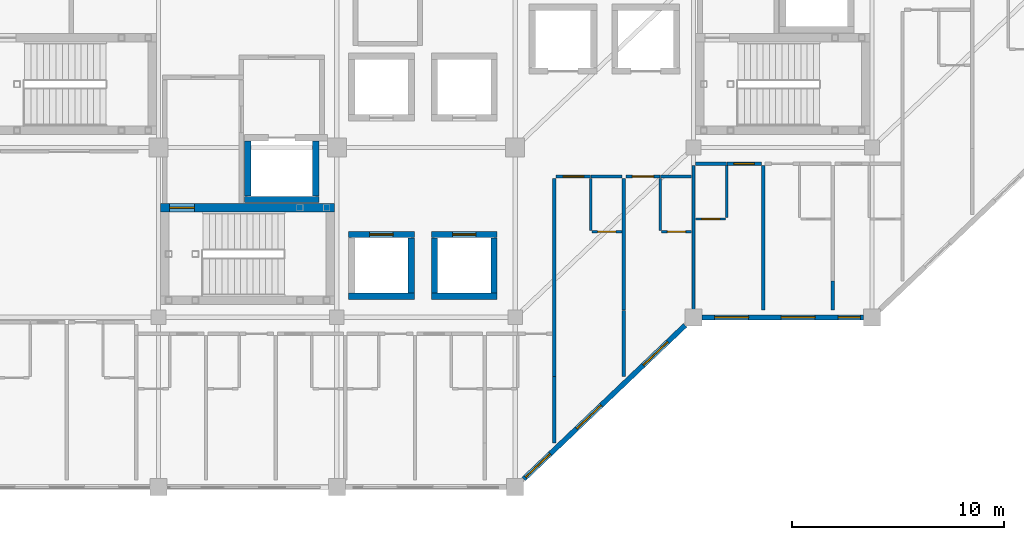
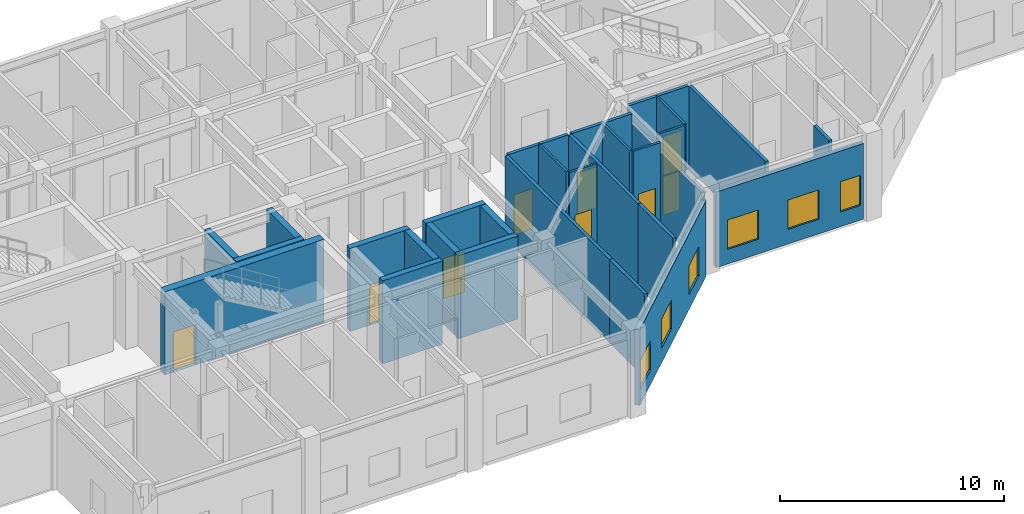
# One storey, part 25 of 37: 32 walls, 9 doors, 6 windows, 15 openings.
"""IFC4 building model written with IfcOpenShell, lengths in metres."""

from ifc_helpers import new_model, si_unit, direction, frame, frame_2d, origin, place, context, subcontext, project, spatial, rectangle, extrude, material, layer, layer_set, type_object, element, fill, save


model = new_model("IFC4")

# Units and contexts
model_context = context("Model", 3, precision=1e-05, world=origin(), true_north=direction((0.0, 1.0)))
body_context = subcontext(model_context, "Body", "Model", "MODEL_VIEW")
ifc_project = project(units=[si_unit("LENGTHUNIT", "METRE"), si_unit("AREAUNIT", "SQUARE_METRE"), si_unit("VOLUMEUNIT", "CUBIC_METRE"), si_unit("PLANEANGLEUNIT", "RADIAN"), si_unit("MASSUNIT", "GRAM", prefix="KILO")], contexts=[model_context])

# Site, building, storey
site_placement = place(None, origin())
site = spatial("IfcSite", under=ifc_project, at=site_placement, CompositionType="ELEMENT")
building_placement = place(site_placement, origin())
building = spatial("IfcBuilding", under=site, at=building_placement, Name="Naruveol Harbour Congress Hotel", CompositionType="ELEMENT")
storey_placement = place(building_placement, frame((0.0, 0.0, 16.199951171875)))
storey = spatial("IfcBuildingStorey", under=building, at=storey_placement, Name="L03", CompositionType="ELEMENT", Elevation=16.199951171875)

# Wall
ifc_material_1 = material(Name="Moisture-Resistant Gypsum Partition", Category="gypsum")
ifc_layer_1 = layer(ifc_material_1, 0.114990234375)
ifc_layer_set_1 = layer_set([ifc_layer_1], Name="Moisture-Resistant Gypsum Partition")
wall_type_1 = type_object("IfcWallType", Name="BATHROOM MOISTURE PARTITION WALL 115", PredefinedType="PARTITIONING", material=ifc_layer_set_1)
wall_1_placement = place(storey_placement, frame((146.35009765625, 12.090087890625, 0.0), z_axis=(0.0, 0.0, 1.0), x_axis=(0.0, 1.0, 0.0)))
element("IfcWall", 1, at=wall_1_placement, inside=storey, type_object=wall_type_1, Name="Bathroom west wall 0445 PW-115", PredefinedType="PARTITIONING", context=body_context, shape_type="SweptSolid", body=[
    extrude(rectangle(XDim=2.449951171875, YDim=0.114990234375, at=frame_2d((1.22509765625, 0.0))), origin(), (0.0, 0.0, 1.0), 4.53515625),
])

# Wall, opening, door
wall_2_placement = place(storey_placement, frame((146.409912109375, 12.030029296875, 0.0), z_axis=(0.0, 0.0, 1.0), x_axis=(1.0, 0.0, 0.0)))
wall_2 = element("IfcWall", 2, at=wall_2_placement, inside=storey, type_object=wall_type_1, Name="Bathroom south wall 0445 PW-115", PredefinedType="PARTITIONING", context=body_context, shape_type="SweptSolid", body=[
    extrude(rectangle(XDim=1.41015625, YDim=0.114990234375, at=frame_2d((0.705078125, 0.0))), origin(), (0.0, 0.0, 1.0), 4.53515625),
])
opening_1_placement = place(wall_2_placement, frame((0.27490234375, 0.0, 0.0)))
opening_1 = element("IfcOpeningElement", 3, at=opening_1_placement, cuts=wall_2, Name="Opening BD-RM0445", PredefinedType="OPENING", context=body_context, shape_type="SweptSolid", body=[
    extrude(rectangle(XDim=0.860107421875, YDim=2.1201171875, at=frame_2d((0.43017578125, 1.06005859375))), frame((0.0, 0.0673828125, 0.0), z_axis=(0.0, -1.0, 0.0), x_axis=(1.0, 0.0, 0.0)), (0.0, 0.0, 1.0), 0.135009765625),
])
ifc_material_2 = material(Name="Timber & Steel Acoustic Leaf", Category="steel")
door_type_1 = type_object("IfcDoorType", Name="GUEST BATHROOM DOOR 860X2120", OperationType="NOTDEFINED", PredefinedType="DOOR", material=ifc_material_2)
door_1_placement = place(opening_1_placement, origin())
door_1 = element("IfcDoor", 4, at=door_1_placement, inside=storey, type_object=door_type_1, Name="Bathroom Door 0445", OperationType="SINGLE_SWING_RIGHT", OverallHeight=2.1201171875, OverallWidth=0.860107421875, PredefinedType="DOOR", context=body_context, shape_type="SweptSolid", body=[
    extrude(rectangle(XDim=0.860107421875, YDim=2.1201171875, at=frame_2d((0.43017578125, 1.06005859375))), frame((0.0, 0.02490234375, 0.0), z_axis=(0.0, -1.0, 0.0), x_axis=(1.0, 0.0, 0.0)), (0.0, 0.0, 1.0), 0.050048828125),
])
fill(opening_1, door_1)

# Wall
wall_3_placement = place(storey_placement, frame((149.6298828125, 12.090087890625, 0.0), z_axis=(0.0, 0.0, 1.0), x_axis=(0.0, 1.0, 0.0)))
element("IfcWall", 5, at=wall_3_placement, inside=storey, type_object=wall_type_1, Name="Bathroom west wall 0446 PW-115", PredefinedType="PARTITIONING", context=body_context, shape_type="SweptSolid", body=[
    extrude(rectangle(XDim=2.449951171875, YDim=0.114990234375, at=frame_2d((1.22509765625, 0.0))), origin(), (0.0, 0.0, 1.0), 4.53515625),
])

# Wall, opening, door
wall_4_placement = place(storey_placement, frame((149.68994140625, 12.030029296875, 0.0), z_axis=(0.0, 0.0, 1.0), x_axis=(1.0, 0.0, 0.0)))
wall_4 = element("IfcWall", 6, at=wall_4_placement, inside=storey, type_object=wall_type_1, Name="Bathroom south wall 0446 PW-115", PredefinedType="PARTITIONING", context=body_context, shape_type="SweptSolid", body=[
    extrude(rectangle(XDim=1.41015625, YDim=0.114990234375, at=frame_2d((0.705078125, 0.0))), origin(), (0.0, 0.0, 1.0), 4.53515625),
])
opening_2_placement = place(wall_4_placement, frame((0.27490234375, 0.0, 0.0)))
opening_2 = element("IfcOpeningElement", 7, at=opening_2_placement, cuts=wall_4, Name="Opening BD-RM0446", PredefinedType="OPENING", context=body_context, shape_type="SweptSolid", body=[
    extrude(rectangle(XDim=0.860107421875, YDim=2.1201171875, at=frame_2d((0.43017578125, 1.06005859375))), frame((0.0, 0.0673828125, 0.0), z_axis=(0.0, -1.0, 0.0), x_axis=(1.0, 0.0, 0.0)), (0.0, 0.0, 1.0), 0.135009765625),
])
door_2_placement = place(opening_2_placement, origin())
door_2 = element("IfcDoor", 8, at=door_2_placement, inside=storey, type_object=door_type_1, Name="Bathroom Door 0446", OperationType="SINGLE_SWING_RIGHT", OverallHeight=2.1201171875, OverallWidth=0.860107421875, PredefinedType="DOOR", context=body_context, shape_type="SweptSolid", body=[
    extrude(rectangle(XDim=0.860107421875, YDim=2.1201171875, at=frame_2d((0.43017578125, 1.06005859375))), frame((0.0, 0.02490234375, 0.0), z_axis=(0.0, -1.0, 0.0), x_axis=(1.0, 0.0, 0.0)), (0.0, 0.0, 1.0), 0.050048828125),
])
fill(opening_2, door_2)

# Wall
wall_5_placement = place(storey_placement, frame((152.77001953125, 12.68994140625, 0.0), z_axis=(0.0, 0.0, 1.0), x_axis=(0.0, 1.0, 0.0)))
element("IfcWall", 9, at=wall_5_placement, inside=storey, type_object=wall_type_1, Name="Bathroom east wall 0447 PW-115", PredefinedType="PARTITIONING", context=body_context, shape_type="SweptSolid", body=[
    extrude(rectangle(XDim=2.449951171875, YDim=0.114990234375, at=frame_2d((1.22509765625, 0.0))), origin(), (0.0, 0.0, 1.0), 4.53515625),
])

# Wall, opening, door
wall_6_placement = place(storey_placement, frame((151.300048828125, 12.6298828125, 0.0), z_axis=(0.0, 0.0, 1.0), x_axis=(1.0, 0.0, 0.0)))
wall_6 = element("IfcWall", 10, at=wall_6_placement, inside=storey, type_object=wall_type_1, Name="Bathroom south wall 0447 PW-115", PredefinedType="PARTITIONING", context=body_context, shape_type="SweptSolid", body=[
    extrude(rectangle(XDim=1.409912109375, YDim=0.114990234375, at=frame_2d((0.705078125, 0.0))), origin(), (0.0, 0.0, 1.0), 4.53515625),
])
opening_3_placement = place(wall_6_placement, frame((0.27490234375, 0.0, 0.0)))
opening_3 = element("IfcOpeningElement", 11, at=opening_3_placement, cuts=wall_6, Name="Opening BD-RM0447", PredefinedType="OPENING", context=body_context, shape_type="SweptSolid", body=[
    extrude(rectangle(XDim=0.860107421875, YDim=2.1201171875, at=frame_2d((0.43017578125, 1.06005859375))), frame((0.0, 0.0673828125, 0.0), z_axis=(0.0, -1.0, 0.0), x_axis=(1.0, 0.0, 0.0)), (0.0, 0.0, 1.0), 0.135009765625),
])
door_3_placement = place(opening_3_placement, origin())
door_3 = element("IfcDoor", 12, at=door_3_placement, inside=storey, type_object=door_type_1, Name="Bathroom Door 0447", OperationType="SINGLE_SWING_RIGHT", OverallHeight=2.1201171875, OverallWidth=0.860107421875, PredefinedType="DOOR", context=body_context, shape_type="SweptSolid", body=[
    extrude(rectangle(XDim=0.860107421875, YDim=2.1201171875, at=frame_2d((0.43017578125, 1.06005859375))), frame((0.0, 0.02490234375, 0.0), z_axis=(0.0, -1.0, 0.0), x_axis=(1.0, 0.0, 0.0)), (0.0, 0.0, 1.0), 0.050048828125),
])
fill(opening_3, door_3)

# Wall
ifc_material_3 = material(Name="Autoclaved Aerated Concrete Block", Category="concrete")
ifc_layer_2 = layer(ifc_material_3, 0.159912109375)
ifc_layer_set_2 = layer_set([ifc_layer_2], Name="Autoclaved Aerated Concrete Block")
wall_type_2 = type_object("IfcWallType", Name="HOTEL PARTY AND CORRIDOR WALL 160 EI60", PredefinedType="PARTITIONING", material=ifc_layer_set_2)
wall_7_placement = place(storey_placement, frame((144.639892578125, 2.090087890625, 0.0), z_axis=(0.0, 0.0, 1.0), x_axis=(0.0, 1.0, 0.0)))
element("IfcWall", 13, at=wall_7_placement, inside=storey, type_object=wall_type_2, Name="Hotel end party wall 0444 PW-160", PredefinedType="PARTITIONING", context=body_context, shape_type="SweptSolid", body=[
    extrude(rectangle(XDim=3.119873046875, YDim=0.159912109375, at=frame_2d((1.56005859375, 0.0))), origin(), (0.0, 0.0, 1.0), 4.53515625),
])

# Wall, opening, door
wall_8_placement = place(storey_placement, frame((144.72998046875, 14.6298828125, 0.0), z_axis=(0.0, 0.0, 1.0), x_axis=(1.0, 0.0, 0.0)))
wall_8 = element("IfcWall", 14, at=wall_8_placement, inside=storey, type_object=wall_type_2, Name="Corridor entry wall 0445 PW-160", PredefinedType="PARTITIONING", context=body_context, shape_type="SweptSolid", body=[
    extrude(rectangle(XDim=1.6201171875, YDim=0.159912109375, at=frame_2d((0.81005859375, 0.0))), origin(), (0.0, 0.0, 1.0), 4.53515625),
])
opening_4_placement = place(wall_8_placement, frame((0.330078125, 0.0, 0.0)))
opening_4 = element("IfcOpeningElement", 15, at=opening_4_placement, cuts=wall_8, Name="Opening FD-RM0445", PredefinedType="OPENING", context=body_context, shape_type="SweptSolid", body=[
    extrude(rectangle(XDim=0.9599609375, YDim=2.199951171875, at=frame_2d((0.47998046875, 1.10009765625))), frame((0.0, 0.08984375, 0.0), z_axis=(0.0, -1.0, 0.0), x_axis=(1.0, 0.0, 0.0)), (0.0, 0.0, 1.0), 0.179931640625),
])
ifc_material_4 = material(Name="Timber & Steel Acoustic Leaf", Category="steel")
door_type_2 = type_object("IfcDoorType", Name="GUEST ROOM ENTRANCE FIRE DOOR 960X2200", OperationType="NOTDEFINED", PredefinedType="DOOR", material=ifc_material_4)
door_4_placement = place(opening_4_placement, origin())
door_4 = element("IfcDoor", 16, at=door_4_placement, inside=storey, type_object=door_type_2, Name="Hotel Room Door 0445", OperationType="SINGLE_SWING_LEFT", OverallHeight=2.199951171875, OverallWidth=0.9599609375, PredefinedType="DOOR", context=body_context, shape_type="SweptSolid", body=[
    extrude(rectangle(XDim=0.9599609375, YDim=2.199951171875, at=frame_2d((0.47998046875, 1.10009765625))), frame((0.0, 0.02490234375, 0.0), z_axis=(0.0, -1.0, 0.0), x_axis=(1.0, 0.0, 0.0)), (0.0, 0.0, 1.0), 0.050048828125),
])
fill(opening_4, door_4)

# Walls
wall_9_placement = place(storey_placement, frame((146.360107421875, 14.6298828125, 0.0), z_axis=(0.0, 0.0, 1.0), x_axis=(1.0, 0.0, 0.0)))
element("IfcWall", 17, at=wall_9_placement, inside=storey, type_object=wall_type_2, Name="Corridor wall 0445B PW-160", PredefinedType="PARTITIONING", context=body_context, shape_type="SweptSolid", body=[
    extrude(rectangle(XDim=1.469970703125, YDim=0.159912109375, at=frame_2d((0.73486328125, 0.0))), origin(), (0.0, 0.0, 1.0), 4.53515625),
])
wall_10_placement = place(storey_placement, frame((144.639892578125, 5.219970703125, 0.0), z_axis=(0.0, 0.0, 1.0), x_axis=(0.0, 1.0, 0.0)))
element("IfcWall", 18, at=wall_10_placement, inside=storey, type_object=wall_type_2, Name="Hotel party wall 0445 PW-160", PredefinedType="PARTITIONING", context=body_context, shape_type="SweptSolid", body=[
    extrude(rectangle(XDim=9.320068359375, YDim=0.159912109375, at=frame_2d((4.66015625, 0.0))), origin(), (0.0, 0.0, 1.0), 4.53515625),
])
wall_11_placement = place(storey_placement, frame((147.919921875, 5.219970703125, 0.0), z_axis=(0.0, 0.0, 1.0), x_axis=(0.0, 1.0, 0.0)))
element("IfcWall", 19, at=wall_11_placement, inside=storey, type_object=wall_type_2, Name="Hotel end party wall 0445 PW-160", PredefinedType="PARTITIONING", context=body_context, shape_type="SweptSolid", body=[
    extrude(rectangle(XDim=3.110107421875, YDim=0.159912109375, at=frame_2d((1.55517578125, 0.0))), origin(), (0.0, 0.0, 1.0), 4.53515625),
])

# Wall, opening, door
wall_12_placement = place(storey_placement, frame((148.010009765625, 14.6298828125, 0.0), z_axis=(0.0, 0.0, 1.0), x_axis=(1.0, 0.0, 0.0)))
wall_12 = element("IfcWall", 20, at=wall_12_placement, inside=storey, type_object=wall_type_2, Name="Corridor entry wall 0446 PW-160", PredefinedType="PARTITIONING", context=body_context, shape_type="SweptSolid", body=[
    extrude(rectangle(XDim=1.619873046875, YDim=0.159912109375, at=frame_2d((0.81005859375, 0.0))), origin(), (0.0, 0.0, 1.0), 4.53515625),
])
opening_5_placement = place(wall_12_placement, frame((0.31005859375, 0.0, 0.0)))
opening_5 = element("IfcOpeningElement", 21, at=opening_5_placement, cuts=wall_12, Name="Opening FD-RM0446", PredefinedType="OPENING", context=body_context, shape_type="SweptSolid", body=[
    extrude(rectangle(XDim=1.0, YDim=2.25, at=frame_2d((0.5, 1.125))), frame((0.0, 0.08984375, 0.0), z_axis=(0.0, -1.0, 0.0), x_axis=(1.0, 0.0, 0.0)), (0.0, 0.0, 1.0), 0.179931640625),
])
ifc_material_5 = material(Name="Timber & Steel Acoustic Leaf", Category="steel")
door_type_3 = type_object("IfcDoorType", Name="DELUXE GUEST ENTRANCE FIRE DOOR 1000X2250", OperationType="NOTDEFINED", PredefinedType="DOOR", material=ifc_material_5)
door_5_placement = place(opening_5_placement, origin())
door_5 = element("IfcDoor", 22, at=door_5_placement, inside=storey, type_object=door_type_3, Name="Hotel Room Door 0446", OperationType="SINGLE_SWING_LEFT", OverallHeight=2.25, OverallWidth=1.0, PredefinedType="DOOR", context=body_context, shape_type="SweptSolid", body=[
    extrude(rectangle(XDim=1.0, YDim=2.25, at=frame_2d((0.5, 1.125))), frame((0.0, 0.02490234375, 0.0), z_axis=(0.0, -1.0, 0.0), x_axis=(1.0, 0.0, 0.0)), (0.0, 0.0, 1.0), 0.050048828125),
])
fill(opening_5, door_5)

# Walls
wall_13_placement = place(storey_placement, frame((149.639892578125, 14.6298828125, 0.0), z_axis=(0.0, 0.0, 1.0), x_axis=(1.0, 0.0, 0.0)))
element("IfcWall", 23, at=wall_13_placement, inside=storey, type_object=wall_type_2, Name="Corridor wall 0446B PW-160", PredefinedType="PARTITIONING", context=body_context, shape_type="SweptSolid", body=[
    extrude(rectangle(XDim=1.47021484375, YDim=0.159912109375, at=frame_2d((0.735107421875, 0.0))), origin(), (0.0, 0.0, 1.0), 4.53515625),
])
wall_14_placement = place(storey_placement, frame((147.919921875, 8.340087890625, 0.0), z_axis=(0.0, 0.0, 1.0), x_axis=(0.0, 1.0, 0.0)))
element("IfcWall", 24, at=wall_14_placement, inside=storey, type_object=wall_type_2, Name="Hotel party wall 0446 PW-160", PredefinedType="PARTITIONING", context=body_context, shape_type="SweptSolid", body=[
    extrude(rectangle(XDim=6.199951171875, YDim=0.159912109375, at=frame_2d((3.10009765625, 0.0))), origin(), (0.0, 0.0, 1.0), 4.53515625),
])
wall_15_placement = place(storey_placement, frame((151.2900390625, 15.22998046875, 0.0), z_axis=(0.0, 0.0, 1.0), x_axis=(1.0, 0.0, 0.0)))
element("IfcWall", 25, at=wall_15_placement, inside=storey, type_object=wall_type_2, Name="Corridor wall 0447B PW-160", PredefinedType="PARTITIONING", context=body_context, shape_type="SweptSolid", body=[
    extrude(rectangle(XDim=1.469970703125, YDim=0.159912109375, at=frame_2d((0.73486328125, 0.0))), origin(), (0.0, 0.0, 1.0), 4.53515625),
])

# Wall, opening, door
wall_16_placement = place(storey_placement, frame((152.77001953125, 15.22998046875, 0.0), z_axis=(0.0, 0.0, 1.0), x_axis=(1.0, 0.0, 0.0)))
wall_16 = element("IfcWall", 26, at=wall_16_placement, inside=storey, type_object=wall_type_2, Name="Corridor entry wall 0447 PW-160", PredefinedType="PARTITIONING", context=body_context, shape_type="SweptSolid", body=[
    extrude(rectangle(XDim=1.619873046875, YDim=0.159912109375, at=frame_2d((0.81005859375, 0.0))), origin(), (0.0, 0.0, 1.0), 4.53515625),
])
opening_6_placement = place(wall_16_placement, frame((0.330078125, 0.0, 0.0)))
opening_6 = element("IfcOpeningElement", 27, at=opening_6_placement, cuts=wall_16, Name="Opening FD-RM0447", PredefinedType="OPENING", context=body_context, shape_type="SweptSolid", body=[
    extrude(rectangle(XDim=0.9599609375, YDim=2.199951171875, at=frame_2d((0.47998046875, 1.10009765625))), frame((0.0, 0.08984375, 0.0), z_axis=(0.0, -1.0, 0.0), x_axis=(1.0, 0.0, 0.0)), (0.0, 0.0, 1.0), 0.179931640625),
])
door_6_placement = place(opening_6_placement, origin())
door_6 = element("IfcDoor", 28, at=door_6_placement, inside=storey, type_object=door_type_2, Name="Hotel Room Door 0447", OperationType="SINGLE_SWING_LEFT", OverallHeight=2.199951171875, OverallWidth=0.9599609375, PredefinedType="DOOR", context=body_context, shape_type="SweptSolid", body=[
    extrude(rectangle(XDim=0.9599609375, YDim=2.199951171875, at=frame_2d((0.47998046875, 1.10009765625))), frame((0.0, 0.02490234375, 0.0), z_axis=(0.0, -1.0, 0.0), x_axis=(1.0, 0.0, 0.0)), (0.0, 0.0, 1.0), 0.050048828125),
])
fill(opening_6, door_6)

# Walls
wall_17_placement = place(storey_placement, frame((151.199951171875, 8.340087890625, 0.0), z_axis=(0.0, 0.0, 1.0), x_axis=(0.0, 1.0, 0.0)))
element("IfcWall", 29, at=wall_17_placement, inside=storey, type_object=wall_type_2, Name="Hotel party wall 0447 PW-160", PredefinedType="PARTITIONING", context=body_context, shape_type="SweptSolid", body=[
    extrude(rectangle(XDim=6.7998046875, YDim=0.159912109375, at=frame_2d((3.39990234375, 0.0))), origin(), (0.0, 0.0, 1.0), 3.97998046875),
])
wall_18_placement = place(storey_placement, frame((154.47998046875, 8.340087890625, 0.0), z_axis=(0.0, 0.0, 1.0), x_axis=(0.0, 1.0, 0.0)))
element("IfcWall", 30, at=wall_18_placement, inside=storey, type_object=wall_type_2, Name="Hotel party wall 0448 PW-160", PredefinedType="PARTITIONING", context=body_context, shape_type="SweptSolid", body=[
    extrude(rectangle(XDim=6.7998046875, YDim=0.159912109375, at=frame_2d((3.39990234375, 0.0))), origin(), (0.0, 0.0, 1.0), 4.53515625),
])
wall_19_placement = place(storey_placement, frame((157.760009765625, 8.340087890625, 0.0), z_axis=(0.0, 0.0, 1.0), x_axis=(0.0, 1.0, 0.0)))
element("IfcWall", 31, at=wall_19_placement, inside=storey, type_object=wall_type_2, Name="Hotel end party wall 0448 PW-160", PredefinedType="PARTITIONING", context=body_context, shape_type="SweptSolid", body=[
    extrude(rectangle(XDim=1.35986328125, YDim=0.159912109375, at=frame_2d((0.679931640625, 0.0))), origin(), (0.0, 0.0, 1.0), 4.53515625),
])

# Wall, openings, windows
ifc_material_6 = material(Name="Concrete C40/50", Category="concrete")
ifc_layer_3 = layer(ifc_material_6, 0.239990234375)
ifc_layer_set_3 = layer_set([ifc_layer_3], Name="Concrete C40/50")
wall_type_3 = type_object("IfcWallType", Name="INSULATED HOTEL SPANDREL WALL 240", PredefinedType="SOLIDWALL", material=ifc_layer_set_3)
wall_20_placement = place(storey_placement, frame((150.800048828125, 7.618896484375, 0.0), z_axis=(0.0, 0.0, 1.0), x_axis=(-0.724156739794, -0.689635422677, 0.0)))
wall_20 = element("IfcWall", 32, at=wall_20_placement, inside=storey, type_object=wall_type_3, Name="Hotel south waterfront wall L03 EW-240", PredefinedType="SOLIDWALL", context=body_context, shape_type="SweptSolid", body=[
    extrude(rectangle(XDim=10.4951171875, YDim=0.239990234375, at=frame_2d((5.24755859375, 0.0))), origin(), (0.0, 0.0, 1.0), 4.130126953125),
])
opening_7_placement = place(wall_20_placement, frame((1.1201171875, 0.0, 0.800048828125)))
opening_7 = element("IfcOpeningElement", 33, at=opening_7_placement, cuts=wall_20, Name="Opening W-03", PredefinedType="OPENING", context=body_context, shape_type="SweptSolid", body=[
    extrude(rectangle(XDim=1.60009765625, YDim=1.60009765625, at=frame_2d((0.800048828125, 0.800048828125))), frame((0.0, 0.1298828125, 0.0), z_axis=(0.0, -1.0, 0.0), x_axis=(1.0, 0.0, 0.0)), (0.0, 0.0, 1.0), 0.260009765625),
])
opening_8_placement = place(wall_20_placement, frame((5.44189453125, 0.0, 0.800048828125)))
opening_8 = element("IfcOpeningElement", 34, at=opening_8_placement, cuts=wall_20, Name="Opening W-03", PredefinedType="OPENING", context=body_context, shape_type="SweptSolid", body=[
    extrude(rectangle(XDim=1.60009765625, YDim=1.60009765625, at=frame_2d((0.800048828125, 0.800048828125))), frame((0.0, 0.1298828125, 0.0), z_axis=(0.0, -1.0, 0.0), x_axis=(1.0, 0.0, 0.0)), (0.0, 0.0, 1.0), 0.260009765625),
])
opening_9_placement = place(wall_20_placement, frame((8.77001953125, 0.0, 0.800048828125)))
opening_9 = element("IfcOpeningElement", 35, at=opening_9_placement, cuts=wall_20, Name="Opening W-03", PredefinedType="OPENING", context=body_context, shape_type="SweptSolid", body=[
    extrude(rectangle(XDim=1.60009765625, YDim=1.60009765625, at=frame_2d((0.800048828125, 0.800048828125))), frame((0.0, 0.1298828125, 0.0), z_axis=(0.0, -1.0, 0.0), x_axis=(1.0, 0.0, 0.0)), (0.0, 0.0, 1.0), 0.260009765625),
])
ifc_material_7 = material(Name="Low-E Triple Glazing in Thermal Aluminium", Category="aluminium")
window_type_1 = type_object("IfcWindowType", Name="DELUXE GUEST WINDOW 1600X1600", PartitioningType="SINGLE_PANEL", PredefinedType="WINDOW", material=ifc_material_7)
window_1_placement = place(opening_7_placement, origin())
window_1 = element("IfcWindow", 36, at=window_1_placement, inside=storey, type_object=window_type_1, Name="Window W-03 #239", OverallHeight=1.60009765625, OverallWidth=1.60009765625, PartitioningType="SINGLE_PANEL", PredefinedType="WINDOW", context=body_context, shape_type="SweptSolid", body=[
    extrude(rectangle(XDim=1.60009765625, YDim=1.60009765625, at=frame_2d((0.800048828125, 0.800048828125))), frame((0.0, 0.030029296875, 0.0), z_axis=(0.0, -1.0, 0.0), x_axis=(1.0, 0.0, 0.0)), (0.0, 0.0, 1.0), 0.06005859375),
])
fill(opening_7, window_1)
window_2_placement = place(opening_8_placement, origin())
window_2 = element("IfcWindow", 37, at=window_2_placement, inside=storey, type_object=window_type_1, Name="Window W-03 #240", OverallHeight=1.60009765625, OverallWidth=1.60009765625, PartitioningType="SINGLE_PANEL", PredefinedType="WINDOW", context=body_context, shape_type="SweptSolid", body=[
    extrude(rectangle(XDim=1.60009765625, YDim=1.60009765625, at=frame_2d((0.800048828125, 0.800048828125))), frame((0.0, 0.030029296875, 0.0), z_axis=(0.0, -1.0, 0.0), x_axis=(1.0, 0.0, 0.0)), (0.0, 0.0, 1.0), 0.06005859375),
])
fill(opening_8, window_2)
window_3_placement = place(opening_9_placement, origin())
window_3 = element("IfcWindow", 38, at=window_3_placement, inside=storey, type_object=window_type_1, Name="Window W-03 #241", OverallHeight=1.60009765625, OverallWidth=1.60009765625, PartitioningType="SINGLE_PANEL", PredefinedType="WINDOW", context=body_context, shape_type="SweptSolid", body=[
    extrude(rectangle(XDim=1.60009765625, YDim=1.60009765625, at=frame_2d((0.800048828125, 0.800048828125))), frame((0.0, 0.030029296875, 0.0), z_axis=(0.0, -1.0, 0.0), x_axis=(1.0, 0.0, 0.0)), (0.0, 0.0, 1.0), 0.06005859375),
])
fill(opening_9, window_3)

wall_21_placement = place(storey_placement, frame((159.199951171875, 8.0, 0.0), z_axis=(0.0, 0.0, 1.0), x_axis=(-1.0, 0.0, 0.0)))
wall_21 = element("IfcWall", 39, at=wall_21_placement, inside=storey, type_object=wall_type_3, Name="Hotel south waterfront wall L03 EW-240", PredefinedType="SOLIDWALL", context=body_context, shape_type="SweptSolid", body=[
    extrude(rectangle(XDim=7.599853515625, YDim=0.239990234375, at=frame_2d((3.7998046875, 0.0))), origin(), (0.0, 0.0, 1.0), 4.130126953125),
])
opening_10_placement = place(wall_21_placement, frame((0.14501953125, 0.0, 0.800048828125)))
opening_10 = element("IfcOpeningElement", 40, at=opening_10_placement, cuts=wall_21, Name="Opening W-26", PredefinedType="OPENING", context=body_context, shape_type="SweptSolid", body=[
    extrude(rectangle(XDim=1.050048828125, YDim=1.64990234375, at=frame_2d((0.52490234375, 0.824951171875))), frame((0.0, 0.1298828125, 0.0), z_axis=(0.0, -1.0, 0.0), x_axis=(1.0, 0.0, 0.0)), (0.0, 0.0, 1.0), 0.260009765625),
])
opening_11_placement = place(wall_21_placement, frame((2.280029296875, 0.0, 0.800048828125)))
opening_11 = element("IfcOpeningElement", 41, at=opening_11_placement, cuts=wall_21, Name="Opening W-03", PredefinedType="OPENING", context=body_context, shape_type="SweptSolid", body=[
    extrude(rectangle(XDim=1.60009765625, YDim=1.60009765625, at=frame_2d((0.800048828125, 0.800048828125))), frame((0.0, 0.1298828125, 0.0), z_axis=(0.0, -1.0, 0.0), x_axis=(1.0, 0.0, 0.0)), (0.0, 0.0, 1.0), 0.260009765625),
])
opening_12_placement = place(wall_21_placement, frame((5.409912109375, 0.0, 0.800048828125)))
opening_12 = element("IfcOpeningElement", 42, at=opening_12_placement, cuts=wall_21, Name="Opening W-03", PredefinedType="OPENING", context=body_context, shape_type="SweptSolid", body=[
    extrude(rectangle(XDim=1.60009765625, YDim=1.60009765625, at=frame_2d((0.800048828125, 0.800048828125))), frame((0.0, 0.1298828125, 0.0), z_axis=(0.0, -1.0, 0.0), x_axis=(1.0, 0.0, 0.0)), (0.0, 0.0, 1.0), 0.260009765625),
])
ifc_material_8 = material(Name="Low-E Triple Glazing in Thermal Aluminium", Category="aluminium")
window_type_2 = type_object("IfcWindowType", Name="CORRIDOR END VIEW WINDOW 1050X1650", PartitioningType="SINGLE_PANEL", PredefinedType="WINDOW", material=ifc_material_8)
window_4_placement = place(opening_10_placement, origin())
window_4 = element("IfcWindow", 43, at=window_4_placement, inside=storey, type_object=window_type_2, Name="Window W-26 #245", OverallHeight=1.64990234375, OverallWidth=1.050048828125, PartitioningType="SINGLE_PANEL", PredefinedType="WINDOW", context=body_context, shape_type="SweptSolid", body=[
    extrude(rectangle(XDim=1.050048828125, YDim=1.64990234375, at=frame_2d((0.52490234375, 0.824951171875))), frame((0.0, 0.030029296875, 0.0), z_axis=(0.0, -1.0, 0.0), x_axis=(1.0, 0.0, 0.0)), (0.0, 0.0, 1.0), 0.06005859375),
])
fill(opening_10, window_4)
window_5_placement = place(opening_11_placement, origin())
window_5 = element("IfcWindow", 44, at=window_5_placement, inside=storey, type_object=window_type_1, Name="Window W-03 #246", OverallHeight=1.60009765625, OverallWidth=1.60009765625, PartitioningType="SINGLE_PANEL", PredefinedType="WINDOW", context=body_context, shape_type="SweptSolid", body=[
    extrude(rectangle(XDim=1.60009765625, YDim=1.60009765625, at=frame_2d((0.800048828125, 0.800048828125))), frame((0.0, 0.030029296875, 0.0), z_axis=(0.0, -1.0, 0.0), x_axis=(1.0, 0.0, 0.0)), (0.0, 0.0, 1.0), 0.06005859375),
])
fill(opening_11, window_5)
window_6_placement = place(opening_12_placement, origin())
window_6 = element("IfcWindow", 45, at=window_6_placement, inside=storey, type_object=window_type_1, Name="Window W-03 #247", OverallHeight=1.60009765625, OverallWidth=1.60009765625, PartitioningType="SINGLE_PANEL", PredefinedType="WINDOW", context=body_context, shape_type="SweptSolid", body=[
    extrude(rectangle(XDim=1.60009765625, YDim=1.60009765625, at=frame_2d((0.800048828125, 0.800048828125))), frame((0.0, 0.030029296875, 0.0), z_axis=(0.0, -1.0, 0.0), x_axis=(1.0, 0.0, 0.0)), (0.0, 0.0, 1.0), 0.06005859375),
])
fill(opening_12, window_6)

# Wall, opening, door
ifc_material_9 = material(Name="Concrete C50/60", Category="concrete")
ifc_layer_4 = layer(ifc_material_9, 0.39990234375)
ifc_layer_set_4 = layer_set([ifc_layer_4], Name="Concrete C50/60")
wall_type_4 = type_object("IfcWallType", Name="RC CORE SHEAR WALL 400 EI120", PredefinedType="SHEAR", material=ifc_layer_set_4)
wall_22_placement = place(storey_placement, frame((126.10009765625, 13.159912109375, 0.0), z_axis=(0.0, 0.0, 1.0), x_axis=(1.0, 0.0, 0.0)))
wall_22 = element("IfcWall", 46, at=wall_22_placement, inside=storey, type_object=wall_type_4, Name="Stair ST1 north core wall CW-400", PredefinedType="SHEAR", context=body_context, shape_type="SweptSolid", body=[
    extrude(rectangle(XDim=8.199951171875, YDim=0.39990234375, at=frame_2d((4.10009765625, 0.0))), origin(), (0.0, 0.0, 1.0), 4.53515625),
])
opening_13_placement = place(wall_22_placement, frame((0.429931640625, 0.0, 0.0)))
opening_13 = element("IfcOpeningElement", 47, at=opening_13_placement, cuts=wall_22, Name="Opening FD-ST1-S-L03", PredefinedType="OPENING", context=body_context, shape_type="SweptSolid", body=[
    extrude(rectangle(XDim=1.159912109375, YDim=2.199951171875, at=frame_2d((0.580078125, 1.10009765625))), frame((0.0, 0.2099609375, 0.0), z_axis=(0.0, -1.0, 0.0), x_axis=(1.0, 0.0, 0.0)), (0.0, 0.0, 1.0), 0.419921875),
])
ifc_material_10 = material(Name="Timber & Steel Acoustic Leaf", Category="steel")
door_type_4 = type_object("IfcDoorType", Name="SPECIAL ESCAPE STAIR FIRE DOOR 1160X2200", OperationType="NOTDEFINED", PredefinedType="DOOR", material=ifc_material_10)
door_7_placement = place(opening_13_placement, origin())
door_7 = element("IfcDoor", 48, at=door_7_placement, inside=storey, type_object=door_type_4, Name="Special Escape Stair Door ST1 L03", OperationType="SINGLE_SWING_RIGHT", OverallHeight=2.199951171875, OverallWidth=1.159912109375, PredefinedType="DOOR", context=body_context, shape_type="SweptSolid", body=[
    extrude(rectangle(XDim=1.159912109375, YDim=2.199951171875, at=frame_2d((0.580078125, 1.10009765625))), frame((0.0, 0.02490234375, 0.0), z_axis=(0.0, -1.0, 0.0), x_axis=(1.0, 0.0, 0.0)), (0.0, 0.0, 1.0), 0.050048828125),
])
fill(opening_13, door_7)

# Walls
ifc_material_11 = material(Name="Concrete C50/60", Category="concrete")
ifc_layer_5 = layer(ifc_material_11, 0.300048828125)
ifc_layer_set_5 = layer_set([ifc_layer_5], Name="Concrete C50/60")
wall_type_5 = type_object("IfcWallType", Name="RC STAIR AND HOISTWAY SHEAR WALL 300 EI120", PredefinedType="SHEAR", material=ifc_layer_set_5)
wall_23_placement = place(storey_placement, frame((134.949951171875, 9.0, 0.0), z_axis=(0.0, 0.0, 1.0), x_axis=(1.0, 0.0, 0.0)))
element("IfcWall", 49, at=wall_23_placement, inside=storey, type_object=wall_type_5, Name="Hoistway south shear wall PL3 SW-300", PredefinedType="SHEAR", context=body_context, shape_type="SweptSolid", body=[
    extrude(rectangle(XDim=3.10009765625, YDim=0.300048828125, at=frame_2d((1.550048828125, 0.0))), origin(), (0.0, 0.0, 1.0), 4.53515625),
])
wall_24_placement = place(storey_placement, frame((137.89990234375, 9.155029296875, 0.0), z_axis=(0.0, 0.0, 1.0), x_axis=(0.0, 1.0, 0.0)))
element("IfcWall", 50, at=wall_24_placement, inside=storey, type_object=wall_type_5, Name="Hoistway east shear wall PL3 SW-300", PredefinedType="SHEAR", context=body_context, shape_type="SweptSolid", body=[
    extrude(rectangle(XDim=2.590087890625, YDim=0.300048828125, at=frame_2d((1.294921875, 0.0))), origin(), (0.0, 0.0, 1.0), 4.53515625),
])

# Wall, opening, door
wall_25_placement = place(storey_placement, frame((138.050048828125, 11.89990234375, 0.0), z_axis=(0.0, 0.0, 1.0), x_axis=(-1.0, 0.0, 0.0)))
wall_25 = element("IfcWall", 51, at=wall_25_placement, inside=storey, type_object=wall_type_5, Name="Hoistway north shear wall PL3 SW-300", PredefinedType="SHEAR", context=body_context, shape_type="SweptSolid", body=[
    extrude(rectangle(XDim=3.10009765625, YDim=0.300048828125, at=frame_2d((1.550048828125, 0.0))), origin(), (0.0, 0.0, 1.0), 4.53515625),
])
opening_14_placement = place(wall_25_placement, frame((1.0, 0.0, 0.0)))
opening_14 = element("IfcOpeningElement", 52, at=opening_14_placement, cuts=wall_25, Name="Opening LD-PL3-L03", PredefinedType="OPENING", context=body_context, shape_type="SweptSolid", body=[
    extrude(rectangle(XDim=1.10009765625, YDim=2.199951171875, at=frame_2d((0.550048828125, 1.10009765625))), frame((0.0, 0.159912109375, 0.0), z_axis=(0.0, -1.0, 0.0), x_axis=(1.0, 0.0, 0.0)), (0.0, 0.0, 1.0), 0.320068359375),
])
ifc_material_12 = material(Name="Stainless Steel Lift Door", Category="steel")
door_type_5 = type_object("IfcDoorType", Name="PASSENGER LIFT LANDING DOOR 1100X2200", OperationType="DOUBLE_DOOR_SLIDING", PredefinedType="DOOR", material=ifc_material_12)
door_8_placement = place(opening_14_placement, origin())
door_8 = element("IfcDoor", 53, at=door_8_placement, inside=storey, type_object=door_type_5, Name="Elevator Landing Door PL3 L03", OperationType="DOUBLE_DOOR_SLIDING", OverallHeight=2.199951171875, OverallWidth=1.10009765625, PredefinedType="DOOR", context=body_context, shape_type="SweptSolid", body=[
    extrude(rectangle(XDim=1.10009765625, YDim=2.199951171875, at=frame_2d((0.550048828125, 1.10009765625))), frame((0.0, 0.02490234375, 0.0), z_axis=(0.0, -1.0, 0.0), x_axis=(1.0, 0.0, 0.0)), (0.0, 0.0, 1.0), 0.050048828125),
])
fill(opening_14, door_8)

# Walls
wall_26_placement = place(storey_placement, frame((138.85009765625, 9.0, 0.0), z_axis=(0.0, 0.0, 1.0), x_axis=(1.0, 0.0, 0.0)))
element("IfcWall", 54, at=wall_26_placement, inside=storey, type_object=wall_type_5, Name="Hoistway south shear wall PL4 SW-300", PredefinedType="SHEAR", context=body_context, shape_type="SweptSolid", body=[
    extrude(rectangle(XDim=3.099853515625, YDim=0.300048828125, at=frame_2d((1.5498046875, 0.0))), origin(), (0.0, 0.0, 1.0), 4.53515625),
])
wall_27_placement = place(storey_placement, frame((141.800048828125, 9.155029296875, 0.0), z_axis=(0.0, 0.0, 1.0), x_axis=(0.0, 1.0, 0.0)))
element("IfcWall", 55, at=wall_27_placement, inside=storey, type_object=wall_type_5, Name="Hoistway east shear wall PL4 SW-300", PredefinedType="SHEAR", context=body_context, shape_type="SweptSolid", body=[
    extrude(rectangle(XDim=2.590087890625, YDim=0.300048828125, at=frame_2d((1.294921875, 0.0))), origin(), (0.0, 0.0, 1.0), 4.53515625),
])

# Wall, opening, door
wall_28_placement = place(storey_placement, frame((141.949951171875, 11.89990234375, 0.0), z_axis=(0.0, 0.0, 1.0), x_axis=(-1.0, 0.0, 0.0)))
wall_28 = element("IfcWall", 56, at=wall_28_placement, inside=storey, type_object=wall_type_5, Name="Hoistway north shear wall PL4 SW-300", PredefinedType="SHEAR", context=body_context, shape_type="SweptSolid", body=[
    extrude(rectangle(XDim=3.099853515625, YDim=0.300048828125, at=frame_2d((1.5498046875, 0.0))), origin(), (0.0, 0.0, 1.0), 4.53515625),
])
opening_15_placement = place(wall_28_placement, frame((1.0, 0.0, 0.0)))
opening_15 = element("IfcOpeningElement", 57, at=opening_15_placement, cuts=wall_28, Name="Opening LD-PL4-L03", PredefinedType="OPENING", context=body_context, shape_type="SweptSolid", body=[
    extrude(rectangle(XDim=1.10009765625, YDim=2.199951171875, at=frame_2d((0.550048828125, 1.10009765625))), frame((0.0, 0.159912109375, 0.0), z_axis=(0.0, -1.0, 0.0), x_axis=(1.0, 0.0, 0.0)), (0.0, 0.0, 1.0), 0.320068359375),
])
door_9_placement = place(opening_15_placement, origin())
door_9 = element("IfcDoor", 58, at=door_9_placement, inside=storey, type_object=door_type_5, Name="Elevator Landing Door PL4 L03", OperationType="DOUBLE_DOOR_SLIDING", OverallHeight=2.199951171875, OverallWidth=1.10009765625, PredefinedType="DOOR", context=body_context, shape_type="SweptSolid", body=[
    extrude(rectangle(XDim=1.10009765625, YDim=2.199951171875, at=frame_2d((0.550048828125, 1.10009765625))), frame((0.0, 0.02490234375, 0.0), z_axis=(0.0, -1.0, 0.0), x_axis=(1.0, 0.0, 0.0)), (0.0, 0.0, 1.0), 0.050048828125),
])
fill(opening_15, door_9)

# Walls
wall_29_placement = place(storey_placement, frame((139.0, 11.7451171875, 0.0), z_axis=(0.0, 0.0, 1.0), x_axis=(0.0, -1.0, 0.0)))
element("IfcWall", 59, at=wall_29_placement, inside=storey, type_object=wall_type_5, Name="Hoistway west shear wall PL4 SW-300", PredefinedType="SHEAR", context=body_context, shape_type="SweptSolid", body=[
    extrude(rectangle(XDim=2.590087890625, YDim=0.300048828125, at=frame_2d((1.294921875, 0.0))), origin(), (0.0, 0.0, 1.0), 4.53515625),
])
wall_30_placement = place(storey_placement, frame((130.050048828125, 13.550048828125, 0.0), z_axis=(0.0, 0.0, 1.0), x_axis=(1.0, 0.0, 0.0)))
element("IfcWall", 60, at=wall_30_placement, inside=storey, type_object=wall_type_5, Name="Hoistway south shear wall FL1 SW-300", PredefinedType="SHEAR", context=body_context, shape_type="SweptSolid", body=[
    extrude(rectangle(XDim=3.5, YDim=0.300048828125, at=frame_2d((1.75, 0.0))), origin(), (0.0, 0.0, 1.0), 4.53515625),
])
for number, where, z_axis, x_axis, name in (
    (61, (133.39990234375, 13.705078125, 0.0), (0.0, 0.0, 1.0), (0.0, 1.0, 0.0), "Hoistway east shear wall FL1 SW-300"),
    (62, (130.199951171875, 16.294921875, 0.0), (0.0, 0.0, 1.0), (0.0, -1.0, 0.0), "Hoistway west shear wall FL1 SW-300"),
):
    element("IfcWall", number, at=place(storey_placement, frame(where, z_axis=z_axis, x_axis=x_axis)), inside=storey, type_object=wall_type_5, Name=name, PredefinedType="SHEAR", context=body_context, shape_type="SweptSolid", body=[
        extrude(rectangle(XDim=2.58984375, YDim=0.300048828125, at=frame_2d((1.294921875, 0.0))), origin(), (0.0, 0.0, 1.0), 4.53515625),
    ])

save(model, "model.ifc")
